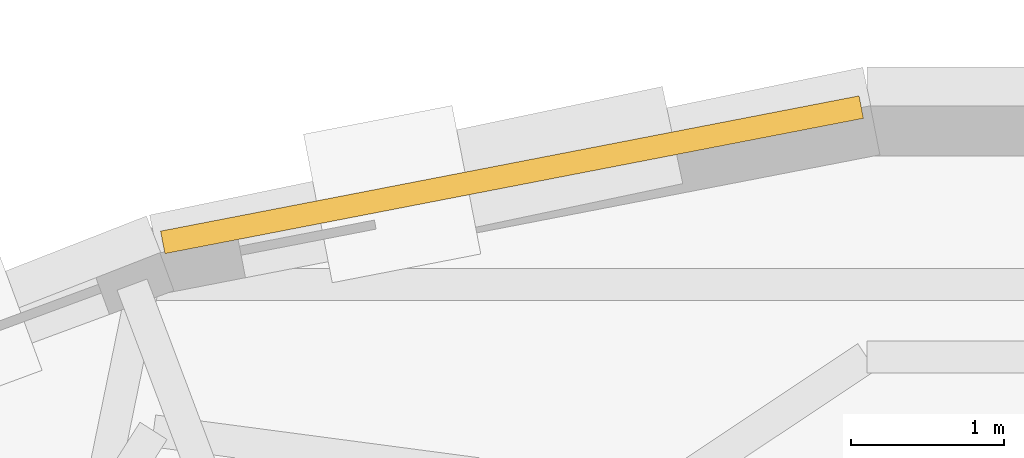
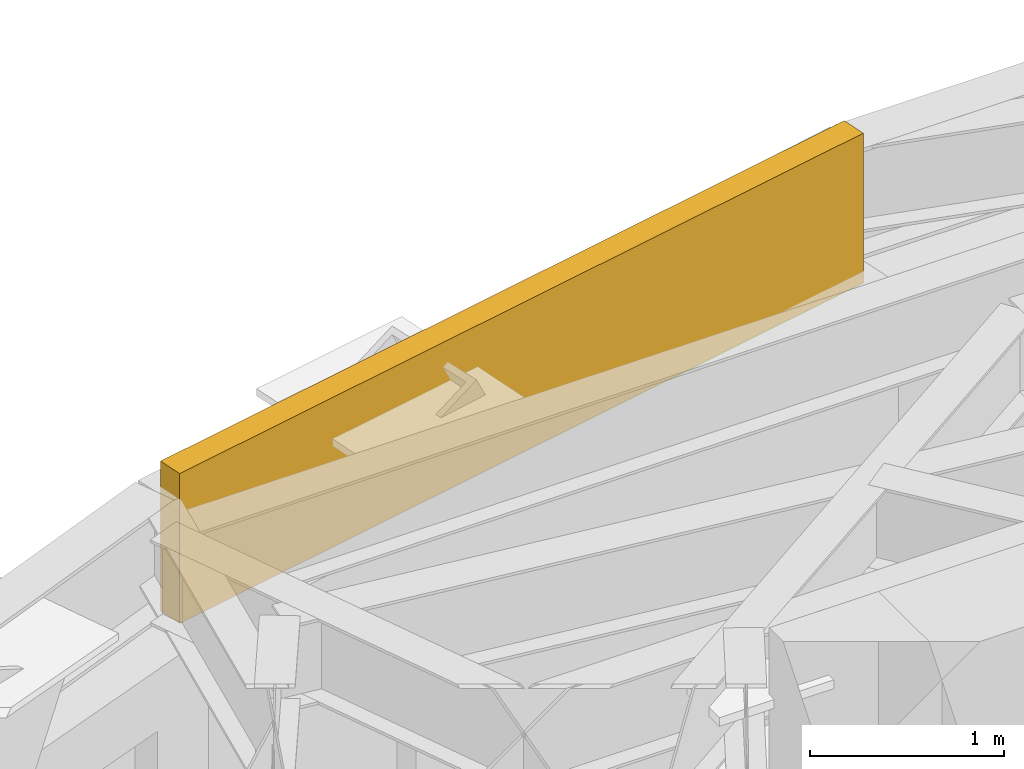
# One storey, part 14 of 14: 1 covering.
"""IFC4 building model written with IfcOpenShell, lengths in metres."""

from ifc_helpers import new_model, si_unit, direction, frame, origin, origin_2d, place, context, subcontext, project, spatial, rectangle, extrude, material, layer, layer_set, type_object, element, save


model = new_model("IFC4")

# Units and contexts
model_context = context("Model", 3, precision=1e-05, world=origin(), true_north=direction((0.0, 1.0)))
body_context = subcontext(model_context, "Body", "Model", "MODEL_VIEW")
ifc_project = project(units=[si_unit("LENGTHUNIT", "METRE"), si_unit("AREAUNIT", "SQUARE_METRE"), si_unit("VOLUMEUNIT", "CUBIC_METRE"), si_unit("PLANEANGLEUNIT", "RADIAN"), si_unit("MASSUNIT", "GRAM", prefix="KILO")], contexts=[model_context])

# Site, building, storey
site_placement = place(None, origin())
site = spatial("IfcSite", under=ifc_project, at=site_placement, CompositionType="ELEMENT")
building_placement = place(site_placement, origin())
building = spatial("IfcBuilding", under=site, at=building_placement, Name="Keldmark Tower", CompositionType="ELEMENT")
storey_placement = place(building_placement, frame((0.0, 0.0, 179.0)))
storey = spatial("IfcBuildingStorey", under=building, at=storey_placement, Name="L49", CompositionType="ELEMENT", Elevation=179.0)

# Covering
ifc_material = material(Name="Honed Kasota Buff Dolomitic Limestone", Category="masonry")
ifc_layer = layer(ifc_material, 0.074951171875)
ifc_layer_set = layer_set([ifc_layer], Name="Honed Kasota Buff Dolomitic Limestone")
covering_type = type_object("IfcCoveringType", Name="Kasota Buff Limestone Spandrel Cladding Band", PredefinedType="CLADDING", material=ifc_layer_set)
covering_placement = place(storey_placement, frame((-4.7744140625, 16.302978515625, 2.239013671875), z_axis=(0.0, 0.0, 1.0), x_axis=(-0.981756835596, -0.190140778796, 0.0)))
element("IfcCovering", 1, at=covering_placement, inside=storey, type_object=covering_type, Name="L49 Kasota Limestone Spandrel Band 09", PredefinedType="CLADDING", context=body_context, shape_type="SweptSolid", body=[
    extrude(rectangle(XDim=4.656982421875, YDim=0.14990234375, at=origin_2d()), origin(), (0.0, 0.0, 1.0), 0.94091796875),
])

save(model, "model.ifc")
